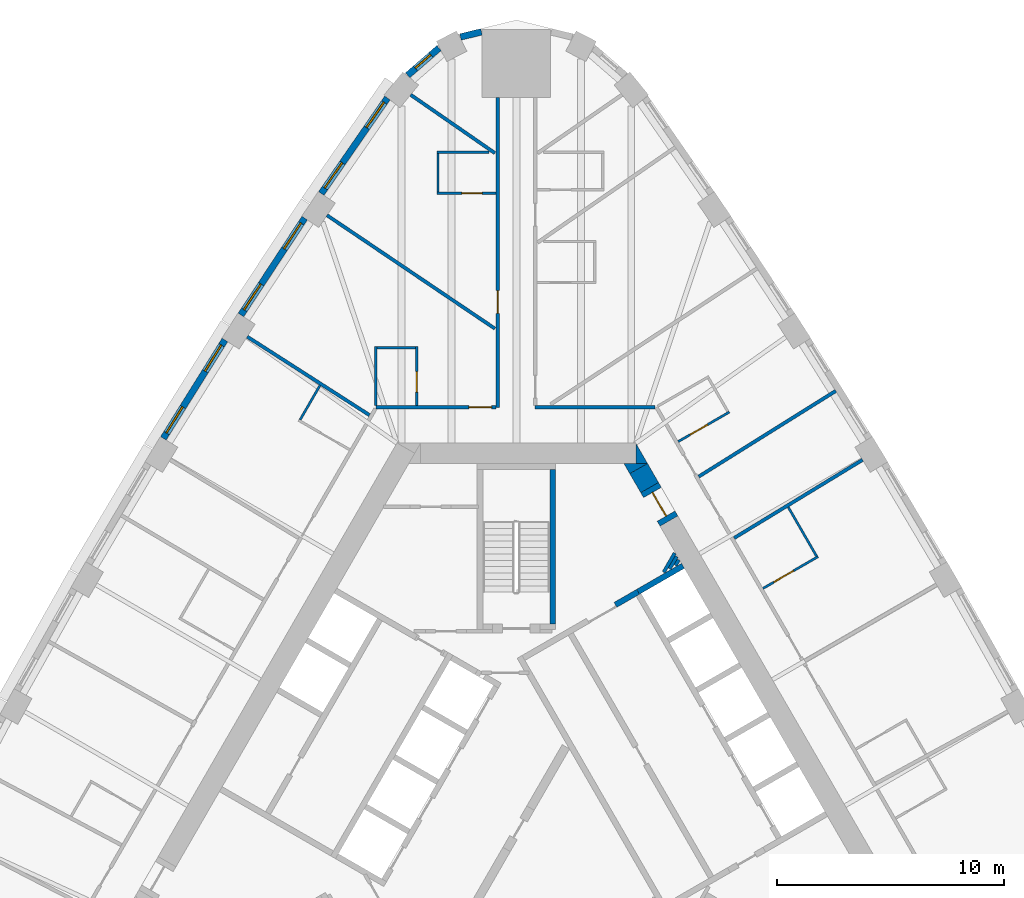
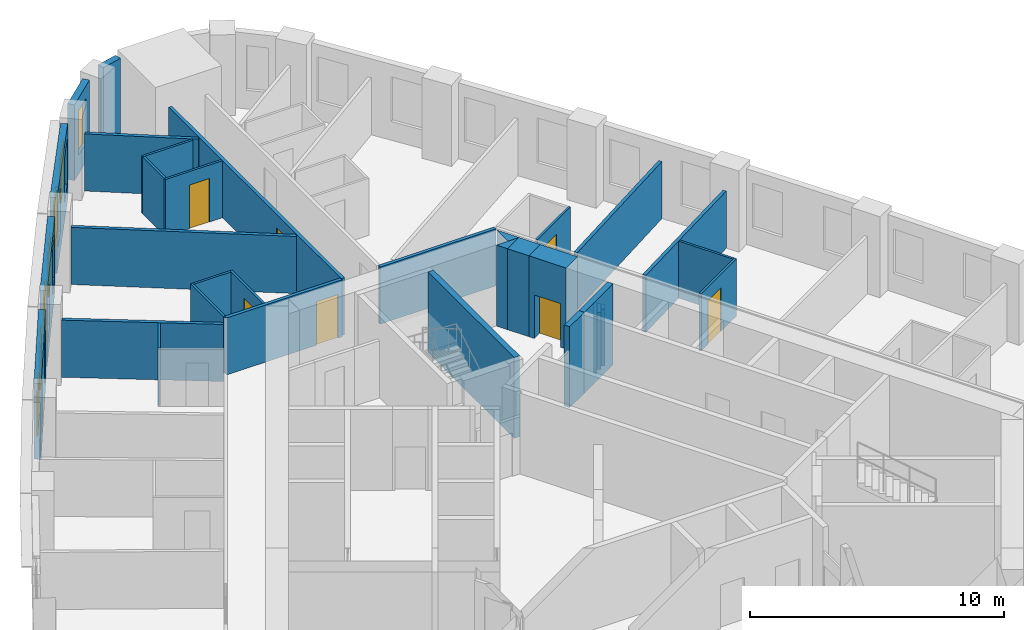
# One storey, part 10 of 12: 33 walls, 7 doors, 7 windows, 14 openings.
"""IFC4 building model written with IfcOpenShell, lengths in metres."""

from ifc_helpers import new_model, si_unit, direction, frame, frame_2d, origin, place, context, subcontext, project, spatial, polyline, rectangle, outline, extrude, material, layer, layer_set, type_object, element, fill, save


model = new_model("IFC4")

# Units and contexts
model_context = context("Model", 3, precision=1e-05, world=origin(), true_north=direction((0.0, 1.0)))
body_context = subcontext(model_context, "Body", "Model", "MODEL_VIEW")
ifc_project = project(units=[si_unit("LENGTHUNIT", "METRE"), si_unit("AREAUNIT", "SQUARE_METRE"), si_unit("VOLUMEUNIT", "CUBIC_METRE"), si_unit("PLANEANGLEUNIT", "RADIAN"), si_unit("MASSUNIT", "GRAM", prefix="KILO")], contexts=[model_context])

# Site, building, storey
site_placement = place(None, origin())
site = spatial("IfcSite", under=ifc_project, at=site_placement, CompositionType="ELEMENT")
building_placement = place(site_placement, origin())
building = spatial("IfcBuilding", under=site, at=building_placement, Name="Mestral Congress Tower", CompositionType="ELEMENT")
storey_placement = place(building_placement, frame((0.0, 0.0, 103.199951171875)))
storey = spatial("IfcBuildingStorey", under=building, at=storey_placement, Name="L24", CompositionType="ELEMENT", Elevation=103.199951171875)

# Walls
ifc_material_1 = material(Name="Fire-rated board partition")
ifc_layer_1 = layer(ifc_material_1, 0.14990234375)
ifc_layer_set_1 = layer_set([ifc_layer_1], Name="Fire-rated board partition")
wall_type_1 = type_object("IfcWallType", Name="Core partition 150", PredefinedType="PARTITIONING", material=ifc_layer_set_1)
wall_1_placement = place(storey_placement, frame((6.481689453125, 11.224609375, 0.0), z_axis=(0.0, 0.0, 1.0), x_axis=(0.5001061818, 0.865964091014, 0.0)))
element("IfcWall", 1, at=wall_1_placement, inside=storey, type_object=wall_type_1, Name="L24 core wall", PredefinedType="PARTITIONING", context=body_context, shape_type="SweptSolid", body=[
    extrude(rectangle(XDim=0.972900390625, YDim=0.14990234375, at=frame_2d((0.486328125, 0.0))), origin(), (0.0, 0.0, 1.0), 2.75),
])
wall_2_placement = place(storey_placement, frame((6.74169921875, 11.374755859375, 0.0), z_axis=(0.0, 0.0, 1.0), x_axis=(0.499744951064, 0.86617260629, 0.0)))
element("IfcWall", 2, at=wall_2_placement, inside=storey, type_object=wall_type_1, Name="L24 core wall", PredefinedType="PARTITIONING", context=body_context, shape_type="SweptSolid", body=[
    extrude(rectangle(XDim=0.626220703125, YDim=0.14990234375, at=frame_2d((0.31298828125, 0.0))), origin(), (0.0, 0.0, 1.0), 2.75),
])
wall_3_placement = place(storey_placement, frame((7.00146484375, 11.524658203125, 0.0), z_axis=(0.0, 0.0, 1.0), x_axis=(0.499797962495, 0.866142018774, 0.0)))
element("IfcWall", 3, at=wall_3_placement, inside=storey, type_object=wall_type_1, Name="L24 core wall", PredefinedType="PARTITIONING", context=body_context, shape_type="SweptSolid", body=[
    extrude(rectangle(XDim=0.27978515625, YDim=0.14990234375, at=frame_2d((0.139892578125, 0.0))), origin(), (0.0, 0.0, 1.0), 2.75),
])
ifc_material_2 = material(Name="Concrete C60/75", Category="concrete")
ifc_layer_2 = layer(ifc_material_2, 0.89990234375)
ifc_layer_set_2 = layer_set([ifc_layer_2], Name="Concrete C60/75")
wall_type_2 = type_object("IfcWallType", Name="Core wall RC 900", PredefinedType="SOLIDWALL", material=ifc_layer_set_2)
placement = place(storey_placement, origin())
element("IfcWall", 4, at=placement, inside=storey, type_object=wall_type_2, Name="L24 core wall", PredefinedType="SOLIDWALL", context=body_context, shape_type="SweptSolid", body=[
    extrude(outline(polyline([(5.265380859375, 16.0), (5.265380859375, 16.8798828125), (5.7734375, 16.0), (5.265380859375, 16.0)])), origin(), (0.0, 0.0, 1.0), 3.900146484375),
])
wall_5_placement = place(storey_placement, frame((5.86083984375, 14.94873046875, 0.0), z_axis=(0.0, 0.0, 1.0), x_axis=(-0.50011719232, 0.865957732194, 0.0)))
element("IfcWall", 5, at=wall_5_placement, inside=storey, type_object=wall_type_2, Name="L24 core wall", PredefinedType="SOLIDWALL", context=body_context, shape_type="SweptSolid", body=[
    extrude(rectangle(XDim=0.963623046875, YDim=0.89990234375, at=frame_2d((0.48193359375, 0.0))), origin(), (0.0, 0.0, 1.0), 3.900146484375),
])
element("IfcWall", 6, at=placement, inside=storey, type_object=wall_type_2, Name="L24 core wall", PredefinedType="SOLIDWALL", context=body_context, shape_type="SweptSolid", body=[
    extrude(outline(polyline([(4.734375, 16.0), (5.75048828125, 16.0), (4.98828125, 15.56005859375), (4.734375, 16.0)])), origin(), (0.0, 0.0, 1.0), 3.900146484375),
])

# Wall, opening, door
wall_7_placement = place(storey_placement, frame((5.86083984375, 14.948486328125, 0.0), z_axis=(0.0, 0.0, 1.0), x_axis=(0.500062241894, -0.865989465428, 0.0)))
wall_7 = element("IfcWall", 7, at=wall_7_placement, inside=storey, type_object=wall_type_2, Name="L24 door wall", PredefinedType="SOLIDWALL", context=body_context, shape_type="SweptSolid", body=[
    extrude(rectangle(XDim=1.699951171875, YDim=0.89990234375, at=frame_2d((0.85009765625, 0.0))), origin(), (0.0, 0.0, 1.0), 3.900146484375),
])
opening_1_placement = place(wall_7_placement, frame((0.25, 0.0, 0.0)))
opening_1 = element("IfcOpeningElement", 8, at=opening_1_placement, cuts=wall_7, Name="Opening XD2", PredefinedType="OPENING", context=body_context, shape_type="SweptSolid", body=[
    extrude(rectangle(XDim=1.199951171875, YDim=2.10009765625, at=frame_2d((0.60009765625, 1.050048828125))), frame((0.0, 0.4599609375, 0.0), z_axis=(0.0, -1.0, 0.0), x_axis=(1.0, 0.0, 0.0)), (0.0, 0.0, 1.0), 0.919921875),
])
ifc_material_3 = material(Name="Fire-rated steel door set", Category="steel")
door_type_1 = type_object("IfcDoorType", Name="Core door XD 1200x2100", OperationType="SINGLE_SWING_LEFT", PredefinedType="DOOR", material=ifc_material_3)
door_1_placement = place(opening_1_placement, origin())
door_1 = element("IfcDoor", 9, at=door_1_placement, inside=storey, type_object=door_type_1, Name="Door XD2", OperationType="SINGLE_SWING_LEFT", OverallHeight=2.10009765625, OverallWidth=1.199951171875, PredefinedType="DOOR", context=body_context, shape_type="SweptSolid", body=[
    extrude(rectangle(XDim=1.199951171875, YDim=2.10009765625, at=frame_2d((0.60009765625, 1.050048828125))), frame((0.0, 0.02490234375, 0.0), z_axis=(0.0, -1.0, 0.0), x_axis=(1.0, 0.0, 0.0)), (0.0, 0.0, 1.0), 0.050048828125),
])
fill(opening_1, door_1)

# Wall
ifc_material_4 = material(Name="Precast concrete C40/50 with limestone facing", Category="masonry")
ifc_layer_3 = layer(ifc_material_4, 0.2900390625)
ifc_layer_set_3 = layer_set([ifc_layer_3], Name="Precast concrete C40/50 with limestone facing")
wall_type_3 = type_object("IfcWallType", Name="Facade stone wall 290", PredefinedType="SOLIDWALL", material=ifc_layer_set_3)
wall_8_placement = place(storey_placement, frame((-1.53515625, 34.9892578125, 0.0), z_axis=(0.0, 0.0, 1.0), x_axis=(-0.971713991574, -0.236160789674, 0.0)))
element("IfcWall", 10, at=wall_8_placement, inside=storey, type_object=wall_type_3, Name="Facade wall K1-2", PredefinedType="SOLIDWALL", context=body_context, shape_type="SweptSolid", body=[
    extrude(rectangle(XDim=0.947021484375, YDim=0.2900390625, at=frame_2d((0.4736328125, 0.0))), origin(), (0.0, 0.0, 1.0), 3.650146484375),
])

# Wall, opening, window
wall_9_placement = place(storey_placement, frame((-3.404541015625, 34.275390625, 0.0), z_axis=(0.0, 0.0, 1.0), x_axis=(-0.754882764627, -0.655859749999, 0.0)))
wall_9 = element("IfcWall", 11, at=wall_9_placement, inside=storey, type_object=wall_type_3, Name="Facade wall K1-3", PredefinedType="SOLIDWALL", context=body_context, shape_type="SweptSolid", body=[
    extrude(rectangle(XDim=1.819580078125, YDim=0.2900390625, at=frame_2d((0.90966796875, 0.0))), origin(), (0.0, 0.0, 1.0), 3.650146484375),
])
opening_2_placement = place(wall_9_placement, frame((0.459716796875, 0.0, 0.89990234375)))
opening_2 = element("IfcOpeningElement", 12, at=opening_2_placement, cuts=wall_9, Name="Opening W3", PredefinedType="OPENING", context=body_context, shape_type="SweptSolid", body=[
    extrude(rectangle(XDim=0.89990234375, YDim=2.14990234375, at=frame_2d((0.449951171875, 1.074951171875))), frame((0.0, 0.155029296875, 0.0), z_axis=(0.0, -1.0, 0.0), x_axis=(1.0, 0.0, 0.0)), (0.0, 0.0, 1.0), 0.31005859375),
])
ifc_material_5 = material(Name="Clear low-emissivity double glazing", Category="glass")
window_type_1 = type_object("IfcWindowType", Name="Facade punched window 900 x 2150 sill 900", PartitioningType="SINGLE_PANEL", PredefinedType="WINDOW", material=ifc_material_5)
window_1_placement = place(opening_2_placement, origin())
window_1 = element("IfcWindow", 13, at=window_1_placement, inside=storey, type_object=window_type_1, Name="Window K1-3", OverallHeight=2.14990234375, OverallWidth=0.89990234375, PartitioningType="SINGLE_PANEL", PredefinedType="WINDOW", context=body_context, shape_type="SweptSolid", body=[
    extrude(rectangle(XDim=0.89990234375, YDim=2.14990234375, at=frame_2d((0.449951171875, 1.074951171875))), frame((0.0, 0.01513671875, 0.0), z_axis=(0.0, -1.0, 0.0), x_axis=(1.0, 0.0, 0.0)), (0.0, 0.0, 1.0), 0.06005859375),
])
fill(opening_2, window_1)

# Wall, openings, windows
wall_10_placement = place(storey_placement, frame((-5.67333984375, 32.0810546875, 0.0), z_axis=(0.0, 0.0, 1.0), x_axis=(-0.569113019126, -0.822259309136, 0.0)))
wall_10 = element("IfcWall", 14, at=wall_10_placement, inside=storey, type_object=wall_type_3, Name="Facade wall F2-00", PredefinedType="SOLIDWALL", context=body_context, shape_type="SweptSolid", body=[
    extrude(rectangle(XDim=5.106689453125, YDim=0.2900390625, at=frame_2d((2.55322265625, 0.0))), origin(), (0.0, 0.0, 1.0), 3.650146484375),
])
opening_3_placement = place(wall_10_placement, frame((0.240478515625, 0.0, 0.89990234375)))
opening_3 = element("IfcOpeningElement", 15, at=opening_3_placement, cuts=wall_10, Name="Opening W2", PredefinedType="OPENING", context=body_context, shape_type="SweptSolid", body=[
    extrude(rectangle(XDim=1.35009765625, YDim=2.14990234375, at=frame_2d((0.675048828125, 1.074951171875))), frame((0.0, 0.155029296875, 0.0), z_axis=(0.0, -1.0, 0.0), x_axis=(1.0, 0.0, 0.0)), (0.0, 0.0, 1.0), 0.31005859375),
])
opening_4_placement = place(wall_10_placement, frame((3.47119140625, 0.0, 0.89990234375)))
opening_4 = element("IfcOpeningElement", 16, at=opening_4_placement, cuts=wall_10, Name="Opening W2", PredefinedType="OPENING", context=body_context, shape_type="SweptSolid", body=[
    extrude(rectangle(XDim=1.35009765625, YDim=2.14990234375, at=frame_2d((0.675048828125, 1.074951171875))), frame((0.0, 0.155029296875, 0.0), z_axis=(0.0, -1.0, 0.0), x_axis=(1.0, 0.0, 0.0)), (0.0, 0.0, 1.0), 0.31005859375),
])
window_type_2 = type_object("IfcWindowType", Name="Facade punched window 1350 x 2150 sill 900", PartitioningType="DOUBLE_PANEL_VERTICAL", PredefinedType="WINDOW", material=ifc_material_5)
window_2_placement = place(opening_3_placement, origin())
window_2 = element("IfcWindow", 17, at=window_2_placement, inside=storey, type_object=window_type_2, Name="Window F2-00a", OverallHeight=2.14990234375, OverallWidth=1.35009765625, PartitioningType="DOUBLE_PANEL_VERTICAL", PredefinedType="WINDOW", context=body_context, shape_type="SweptSolid", body=[
    extrude(rectangle(XDim=1.35009765625, YDim=2.14990234375, at=frame_2d((0.675048828125, 1.074951171875))), frame((0.0, 0.01513671875, 0.0), z_axis=(0.0, -1.0, 0.0), x_axis=(1.0, 0.0, 0.0)), (0.0, 0.0, 1.0), 0.06005859375),
])
fill(opening_3, window_2)
window_3_placement = place(opening_4_placement, origin())
window_3 = element("IfcWindow", 18, at=window_3_placement, inside=storey, type_object=window_type_2, Name="Window F2-00b", OverallHeight=2.14990234375, OverallWidth=1.35009765625, PartitioningType="DOUBLE_PANEL_VERTICAL", PredefinedType="WINDOW", context=body_context, shape_type="SweptSolid", body=[
    extrude(rectangle(XDim=1.35009765625, YDim=2.14990234375, at=frame_2d((0.675048828125, 1.074951171875))), frame((0.0, 0.01513671875, 0.0), z_axis=(0.0, -1.0, 0.0), x_axis=(1.0, 0.0, 0.0)), (0.0, 0.0, 1.0), 0.06005859375),
])
fill(opening_4, window_3)

wall_11_placement = place(storey_placement, frame((-9.310791015625, 26.799072265625, 0.0), z_axis=(0.0, 0.0, 1.0), x_axis=(-0.549741341923, -0.835334937005, 0.0)))
wall_11 = element("IfcWall", 19, at=wall_11_placement, inside=storey, type_object=wall_type_3, Name="Facade wall F2-01", PredefinedType="SOLIDWALL", context=body_context, shape_type="SweptSolid", body=[
    extrude(rectangle(XDim=5.10009765625, YDim=0.2900390625, at=frame_2d((2.550048828125, 0.0))), origin(), (0.0, 0.0, 1.0), 3.650146484375),
])
opening_5_placement = place(wall_11_placement, frame((0.272705078125, 0.0, 0.89990234375)))
opening_5 = element("IfcOpeningElement", 20, at=opening_5_placement, cuts=wall_11, Name="Opening W2", PredefinedType="OPENING", context=body_context, shape_type="SweptSolid", body=[
    extrude(rectangle(XDim=1.35009765625, YDim=2.14990234375, at=frame_2d((0.675048828125, 1.074951171875))), frame((0.0, 0.155029296875, 0.0), z_axis=(0.0, -1.0, 0.0), x_axis=(1.0, 0.0, 0.0)), (0.0, 0.0, 1.0), 0.31005859375),
])
opening_6_placement = place(wall_11_placement, frame((3.477783203125, 0.0, 0.89990234375)))
opening_6 = element("IfcOpeningElement", 21, at=opening_6_placement, cuts=wall_11, Name="Opening W2", PredefinedType="OPENING", context=body_context, shape_type="SweptSolid", body=[
    extrude(rectangle(XDim=1.35009765625, YDim=2.14990234375, at=frame_2d((0.675048828125, 1.074951171875))), frame((0.0, 0.155029296875, 0.0), z_axis=(0.0, -1.0, 0.0), x_axis=(1.0, 0.0, 0.0)), (0.0, 0.0, 1.0), 0.31005859375),
])
window_4_placement = place(opening_5_placement, origin())
window_4 = element("IfcWindow", 22, at=window_4_placement, inside=storey, type_object=window_type_2, Name="Window F2-01a", OverallHeight=2.14990234375, OverallWidth=1.35009765625, PartitioningType="DOUBLE_PANEL_VERTICAL", PredefinedType="WINDOW", context=body_context, shape_type="SweptSolid", body=[
    extrude(rectangle(XDim=1.35009765625, YDim=2.14990234375, at=frame_2d((0.675048828125, 1.074951171875))), frame((0.0, 0.01513671875, 0.0), z_axis=(0.0, -1.0, 0.0), x_axis=(1.0, 0.0, 0.0)), (0.0, 0.0, 1.0), 0.06005859375),
])
fill(opening_5, window_4)
window_5_placement = place(opening_6_placement, origin())
window_5 = element("IfcWindow", 23, at=window_5_placement, inside=storey, type_object=window_type_2, Name="Window F2-01b", OverallHeight=2.14990234375, OverallWidth=1.35009765625, PartitioningType="DOUBLE_PANEL_VERTICAL", PredefinedType="WINDOW", context=body_context, shape_type="SweptSolid", body=[
    extrude(rectangle(XDim=1.35009765625, YDim=2.14990234375, at=frame_2d((0.675048828125, 1.074951171875))), frame((0.0, 0.01513671875, 0.0), z_axis=(0.0, -1.0, 0.0), x_axis=(1.0, 0.0, 0.0)), (0.0, 0.0, 1.0), 0.06005859375),
])
fill(opening_6, window_5)

wall_12_placement = place(storey_placement, frame((-12.820068359375, 21.43896484375, 0.0), z_axis=(0.0, 0.0, 1.0), x_axis=(-0.530072082134, -0.847952585787, 0.0)))
wall_12 = element("IfcWall", 24, at=wall_12_placement, inside=storey, type_object=wall_type_3, Name="Facade wall F2-02", PredefinedType="SOLIDWALL", context=body_context, shape_type="SweptSolid", body=[
    extrude(rectangle(XDim=5.100341796875, YDim=0.2900390625, at=frame_2d((2.55029296875, 0.0))), origin(), (0.0, 0.0, 1.0), 3.650146484375),
])
opening_7_placement = place(wall_12_placement, frame((0.272705078125, 0.0, 0.89990234375)))
opening_7 = element("IfcOpeningElement", 25, at=opening_7_placement, cuts=wall_12, Name="Opening W2", PredefinedType="OPENING", context=body_context, shape_type="SweptSolid", body=[
    extrude(rectangle(XDim=1.35009765625, YDim=2.14990234375, at=frame_2d((0.675048828125, 1.074951171875))), frame((0.0, 0.155029296875, 0.0), z_axis=(0.0, -1.0, 0.0), x_axis=(1.0, 0.0, 0.0)), (0.0, 0.0, 1.0), 0.31005859375),
])
opening_8_placement = place(wall_12_placement, frame((3.477783203125, 0.0, 0.89990234375)))
opening_8 = element("IfcOpeningElement", 26, at=opening_8_placement, cuts=wall_12, Name="Opening W2", PredefinedType="OPENING", context=body_context, shape_type="SweptSolid", body=[
    extrude(rectangle(XDim=1.35009765625, YDim=2.14990234375, at=frame_2d((0.675048828125, 1.074951171875))), frame((0.0, 0.155029296875, 0.0), z_axis=(0.0, -1.0, 0.0), x_axis=(1.0, 0.0, 0.0)), (0.0, 0.0, 1.0), 0.31005859375),
])
window_6_placement = place(opening_7_placement, origin())
window_6 = element("IfcWindow", 27, at=window_6_placement, inside=storey, type_object=window_type_2, Name="Window F2-02a", OverallHeight=2.14990234375, OverallWidth=1.35009765625, PartitioningType="DOUBLE_PANEL_VERTICAL", PredefinedType="WINDOW", context=body_context, shape_type="SweptSolid", body=[
    extrude(rectangle(XDim=1.35009765625, YDim=2.14990234375, at=frame_2d((0.675048828125, 1.074951171875))), frame((0.0, 0.01513671875, 0.0), z_axis=(0.0, -1.0, 0.0), x_axis=(1.0, 0.0, 0.0)), (0.0, 0.0, 1.0), 0.06005859375),
])
fill(opening_7, window_6)
window_7_placement = place(opening_8_placement, origin())
window_7 = element("IfcWindow", 28, at=window_7_placement, inside=storey, type_object=window_type_2, Name="Window F2-02b", OverallHeight=2.14990234375, OverallWidth=1.35009765625, PartitioningType="DOUBLE_PANEL_VERTICAL", PredefinedType="WINDOW", context=body_context, shape_type="SweptSolid", body=[
    extrude(rectangle(XDim=1.35009765625, YDim=2.14990234375, at=frame_2d((0.675048828125, 1.074951171875))), frame((0.0, 0.01513671875, 0.0), z_axis=(0.0, -1.0, 0.0), x_axis=(1.0, 0.0, 0.0)), (0.0, 0.0, 1.0), 0.06005859375),
])
fill(opening_8, window_7)

# Wall, opening, door
ifc_material_6 = material(Name="Gypsum board partition on metal studs with mineral wool", Category="composite")
ifc_layer_4 = layer(ifc_material_6, 0.10009765625)
ifc_layer_set_4 = layer_set([ifc_layer_4], Name="Gypsum board partition on metal studs with mineral wool")
wall_type_4 = type_object("IfcWallType", Name="Hotel partition wall 100", PredefinedType="PARTITIONING", material=ifc_layer_set_4)
wall_13_placement = place(storey_placement, frame((10.8466796875, 10.512939453125, 0.0), z_axis=(0.0, 0.0, 1.0), x_axis=(0.865996816683, 0.500049511043, 0.0)))
wall_13 = element("IfcWall", 29, at=wall_13_placement, inside=storey, type_object=wall_type_4, Name="L24-h-pod13a", PredefinedType="PARTITIONING", context=body_context, shape_type="SweptSolid", body=[
    extrude(rectangle(XDim=2.800048828125, YDim=0.10009765625, at=frame_2d((1.39990234375, 0.0))), origin(), (0.0, 0.0, 1.0), 2.75),
])
opening_9_placement = place(wall_13_placement, frame((0.550048828125, 0.0, 0.0)))
opening_9 = element("IfcOpeningElement", 30, at=opening_9_placement, cuts=wall_13, Name="Opening H07-026", PredefinedType="OPENING", context=body_context, shape_type="SweptSolid", body=[
    extrude(rectangle(XDim=1.0, YDim=2.10009765625, at=frame_2d((0.5, 1.050048828125))), frame((0.0, 0.06005859375, 0.0), z_axis=(0.0, -1.0, 0.0), x_axis=(1.0, 0.0, 0.0)), (0.0, 0.0, 1.0), 0.1201171875),
])
ifc_material_7 = material(Name="Timber veneer door leaf in timber frame", Category="wood")
door_type_2 = type_object("IfcDoorType", Name="Accessible bathroom door 1000", OperationType="SINGLE_SWING_LEFT", PredefinedType="DOOR", material=ifc_material_7)
door_2_placement = place(opening_9_placement, origin())
door_2 = element("IfcDoor", 31, at=door_2_placement, inside=storey, type_object=door_type_2, Name="L24-h-d026", OperationType="SINGLE_SWING_LEFT", OverallHeight=2.10009765625, OverallWidth=1.0, PredefinedType="DOOR", context=body_context, shape_type="SweptSolid", body=[
    extrude(rectangle(XDim=1.0, YDim=2.10009765625, at=frame_2d((0.5, 1.050048828125))), frame((0.0, 0.02490234375, 0.0), z_axis=(0.0, -1.0, 0.0), x_axis=(1.0, 0.0, 0.0)), (0.0, 0.0, 1.0), 0.050048828125),
])
fill(opening_9, door_2)

# Wall
wall_14_placement = place(storey_placement, frame((13.203125, 11.931396484375, 0.0), z_axis=(0.0, 0.0, 1.0), x_axis=(-0.499988411372, 0.866032094379, 0.0)))
element("IfcWall", 32, at=wall_14_placement, inside=storey, type_object=wall_type_4, Name="L24-h-pod13b", PredefinedType="PARTITIONING", context=body_context, shape_type="SweptSolid", body=[
    extrude(rectangle(XDim=2.48974609375, YDim=0.10009765625, at=frame_2d((1.244873046875, 0.0))), origin(), (0.0, 0.0, 1.0), 2.75),
])

# Wall, opening, door
wall_15_placement = place(storey_placement, frame((7.1181640625, 16.970947265625, 0.0), z_axis=(0.0, 0.0, 1.0), x_axis=(0.866021400173, 0.500006934395, 0.0)))
wall_15 = element("IfcWall", 33, at=wall_15_placement, inside=storey, type_object=wall_type_4, Name="L24-h-pod15a", PredefinedType="PARTITIONING", context=body_context, shape_type="SweptSolid", body=[
    extrude(rectangle(XDim=2.60009765625, YDim=0.10009765625, at=frame_2d((1.300048828125, 0.0))), origin(), (0.0, 0.0, 1.0), 2.75),
])
opening_10_placement = place(wall_15_placement, frame((0.60009765625, 0.0, 0.0)))
opening_10 = element("IfcOpeningElement", 34, at=opening_10_placement, cuts=wall_15, Name="Opening H07-029", PredefinedType="OPENING", context=body_context, shape_type="SweptSolid", body=[
    extrude(rectangle(XDim=0.89990234375, YDim=2.10009765625, at=frame_2d((0.449951171875, 1.050048828125))), frame((0.0, 0.06005859375, 0.0), z_axis=(0.0, -1.0, 0.0), x_axis=(1.0, 0.0, 0.0)), (0.0, 0.0, 1.0), 0.1201171875),
])
door_type_3 = type_object("IfcDoorType", Name="Bathroom door 900", OperationType="SINGLE_SWING_LEFT", PredefinedType="DOOR", material=ifc_material_7)
door_3_placement = place(opening_10_placement, origin())
door_3 = element("IfcDoor", 35, at=door_3_placement, inside=storey, type_object=door_type_3, Name="L24-h-d029", OperationType="SINGLE_SWING_RIGHT", OverallHeight=2.10009765625, OverallWidth=0.89990234375, PredefinedType="DOOR", context=body_context, shape_type="SweptSolid", body=[
    extrude(rectangle(XDim=0.89990234375, YDim=2.10009765625, at=frame_2d((0.449951171875, 1.050048828125))), frame((0.0, 0.02490234375, 0.0), z_axis=(0.0, -1.0, 0.0), x_axis=(1.0, 0.0, 0.0)), (0.0, 0.0, 1.0), 0.050048828125),
])
fill(opening_10, door_3)

wall_16_placement = place(storey_placement, frame((-3.5, 27.89794921875, 0.0), z_axis=(0.0, 0.0, 1.0), x_axis=(1.0, 0.0, 0.0)))
wall_16 = element("IfcWall", 36, at=wall_16_placement, inside=storey, type_object=wall_type_4, Name="L24-h-pod18a", PredefinedType="PARTITIONING", context=body_context, shape_type="SweptSolid", body=[
    extrude(rectangle(XDim=2.60009765625, YDim=0.10009765625, at=frame_2d((1.300048828125, 0.0))), origin(), (0.0, 0.0, 1.0), 2.75),
])
opening_11_placement = place(wall_16_placement, frame((1.10009765625, 0.0, 0.0)))
opening_11 = element("IfcOpeningElement", 37, at=opening_11_placement, cuts=wall_16, Name="Opening H07-035", PredefinedType="OPENING", context=body_context, shape_type="SweptSolid", body=[
    extrude(rectangle(XDim=0.89990234375, YDim=2.10009765625, at=frame_2d((0.449951171875, 1.050048828125))), frame((0.0, 0.06005859375, 0.0), z_axis=(0.0, -1.0, 0.0), x_axis=(1.0, 0.0, 0.0)), (0.0, 0.0, 1.0), 0.1201171875),
])
door_4_placement = place(opening_11_placement, origin())
door_4 = element("IfcDoor", 38, at=door_4_placement, inside=storey, type_object=door_type_3, Name="L24-h-d035", OperationType="SINGLE_SWING_RIGHT", OverallHeight=2.10009765625, OverallWidth=0.89990234375, PredefinedType="DOOR", context=body_context, shape_type="SweptSolid", body=[
    extrude(rectangle(XDim=0.89990234375, YDim=2.10009765625, at=frame_2d((0.449951171875, 1.050048828125))), frame((0.0, 0.02490234375, 0.0), z_axis=(0.0, -1.0, 0.0), x_axis=(1.0, 0.0, 0.0)), (0.0, 0.0, 1.0), 0.050048828125),
])
fill(opening_11, door_4)

# Walls
wall_17_placement = place(storey_placement, frame((-3.449951171875, 27.947998046875, 0.0), z_axis=(0.0, 0.0, 1.0), x_axis=(0.0, 1.0, 0.0)))
element("IfcWall", 39, at=wall_17_placement, inside=storey, type_object=wall_type_4, Name="L24-h-pod18b", PredefinedType="PARTITIONING", context=body_context, shape_type="SweptSolid", body=[
    extrude(rectangle(XDim=1.699951171875, YDim=0.10009765625, at=frame_2d((0.85009765625, 0.0))), origin(), (0.0, 0.0, 1.0), 2.75),
])
wall_18_placement = place(storey_placement, frame((-1.199951171875, 29.697998046875, 0.0), z_axis=(0.0, 0.0, 1.0), x_axis=(-1.0, 0.0, 0.0)))
element("IfcWall", 40, at=wall_18_placement, inside=storey, type_object=wall_type_4, Name="L24-h-pod18c", PredefinedType="PARTITIONING", context=body_context, shape_type="SweptSolid", body=[
    extrude(rectangle(XDim=2.300048828125, YDim=0.10009765625, at=frame_2d((1.14990234375, 0.0))), origin(), (0.0, 0.0, 1.0), 2.75),
])

# Wall, opening, door
wall_19_placement = place(storey_placement, frame((-4.38330078125, 18.550048828125, 0.0), z_axis=(0.0, 0.0, 1.0), x_axis=(0.0, 1.0, 0.0)))
wall_19 = element("IfcWall", 41, at=wall_19_placement, inside=storey, type_object=wall_type_4, Name="L24-h-pod19a", PredefinedType="PARTITIONING", context=body_context, shape_type="SweptSolid", body=[
    extrude(rectangle(XDim=2.599853515625, YDim=0.10009765625, at=frame_2d((1.2998046875, 0.0))), origin(), (0.0, 0.0, 1.0), 2.75),
])
opening_12_placement = place(wall_19_placement, frame((0.60009765625, 0.0, 0.0)))
opening_12 = element("IfcOpeningElement", 42, at=opening_12_placement, cuts=wall_19, Name="Opening H07-037", PredefinedType="OPENING", context=body_context, shape_type="SweptSolid", body=[
    extrude(rectangle(XDim=0.89990234375, YDim=2.10009765625, at=frame_2d((0.449951171875, 1.050048828125))), frame((0.0, 0.06005859375, 0.0), z_axis=(0.0, -1.0, 0.0), x_axis=(1.0, 0.0, 0.0)), (0.0, 0.0, 1.0), 0.1201171875),
])
door_5_placement = place(opening_12_placement, origin())
door_5 = element("IfcDoor", 43, at=door_5_placement, inside=storey, type_object=door_type_3, Name="L24-h-d037", OperationType="SINGLE_SWING_LEFT", OverallHeight=2.10009765625, OverallWidth=0.89990234375, PredefinedType="DOOR", context=body_context, shape_type="SweptSolid", body=[
    extrude(rectangle(XDim=0.89990234375, YDim=2.10009765625, at=frame_2d((0.449951171875, 1.050048828125))), frame((0.0, 0.02490234375, 0.0), z_axis=(0.0, -1.0, 0.0), x_axis=(1.0, 0.0, 0.0)), (0.0, 0.0, 1.0), 0.050048828125),
])
fill(opening_12, door_5)

# Walls
wall_20_placement = place(storey_placement, frame((-4.43310546875, 21.10009765625, 0.0), z_axis=(0.0, 0.0, 1.0), x_axis=(-1.0, 0.0, 0.0)))
element("IfcWall", 44, at=wall_20_placement, inside=storey, type_object=wall_type_4, Name="L24-h-pod19b", PredefinedType="PARTITIONING", context=body_context, shape_type="SweptSolid", body=[
    extrude(rectangle(XDim=1.7001953125, YDim=0.10009765625, at=frame_2d((0.85009765625, 0.0))), origin(), (0.0, 0.0, 1.0), 2.75),
])
wall_21_placement = place(storey_placement, frame((-6.18310546875, 18.550048828125, 0.0), z_axis=(0.0, 0.0, 1.0), x_axis=(0.0, 1.0, 0.0)))
element("IfcWall", 45, at=wall_21_placement, inside=storey, type_object=wall_type_4, Name="L24-h-pod19c", PredefinedType="PARTITIONING", context=body_context, shape_type="SweptSolid", body=[
    extrude(rectangle(XDim=2.599853515625, YDim=0.10009765625, at=frame_2d((1.2998046875, 0.0))), origin(), (0.0, 0.0, 1.0), 2.75),
])
wall_22_placement = place(storey_placement, frame((-9.509521484375, 17.92919921875, 0.0), z_axis=(0.0, 0.0, 1.0), x_axis=(0.500062521093, 0.865989304205, 0.0)))
element("IfcWall", 46, at=wall_22_placement, inside=storey, type_object=wall_type_4, Name="L24-h-pod20b", PredefinedType="PARTITIONING", context=body_context, shape_type="SweptSolid", body=[
    extrude(rectangle(XDim=1.739990234375, YDim=0.10009765625, at=frame_2d((0.8701171875, 0.0))), origin(), (0.0, 0.0, 1.0), 2.75),
])
ifc_layer_5 = layer(ifc_material_6, 0.14990234375)
ifc_layer_set_5 = layer_set([ifc_layer_5], Name="Gypsum board partition on metal studs with mineral wool")
wall_type_5 = type_object("IfcWallType", Name="Hotel partition wall 150", PredefinedType="PARTITIONING", material=ifc_layer_set_5)
wall_23_placement = place(storey_placement, frame((0.824951171875, 18.47509765625, 0.0), z_axis=(0.0, 0.0, 1.0), x_axis=(1.0, 0.0, 0.0)))
element("IfcWall", 47, at=wall_23_placement, inside=storey, type_object=wall_type_5, Name="L24-h-cw04", PredefinedType="PARTITIONING", context=body_context, shape_type="SweptSolid", body=[
    extrude(rectangle(XDim=5.268310546875, YDim=0.14990234375, at=frame_2d((2.63427734375, 0.0))), origin(), (0.0, 0.0, 1.0), 2.75),
])

# Wall, opening, door
wall_24_placement = place(storey_placement, frame((-0.824951171875, 18.47509765625, 0.0), z_axis=(0.0, 0.0, 1.0), x_axis=(0.0, 1.0, 0.0)))
wall_24 = element("IfcWall", 48, at=wall_24_placement, inside=storey, type_object=wall_type_5, Name="L24-h-cw06", PredefinedType="PARTITIONING", context=body_context, shape_type="SweptSolid", body=[
    extrude(rectangle(XDim=13.623291015625, YDim=0.14990234375, at=frame_2d((6.8115234375, 0.0))), origin(), (0.0, 0.0, 1.0), 2.75),
])
opening_13_placement = place(wall_24_placement, frame((4.13525390625, 0.0, 0.0)))
opening_13 = element("IfcOpeningElement", 49, at=opening_13_placement, cuts=wall_24, Name="Opening H07-034", PredefinedType="OPENING", context=body_context, shape_type="SweptSolid", body=[
    extrude(rectangle(XDim=1.0, YDim=2.10009765625, at=frame_2d((0.5, 1.050048828125))), frame((0.0, 0.0849609375, 0.0), z_axis=(0.0, -1.0, 0.0), x_axis=(1.0, 0.0, 0.0)), (0.0, 0.0, 1.0), 0.169921875),
])
ifc_material_8 = material(Name="Timber veneer door leaf in metal frame", Category="wood")
door_type_4 = type_object("IfcDoorType", Name="Guest room entrance door 1000", OperationType="SINGLE_SWING_LEFT", PredefinedType="DOOR", material=ifc_material_8)
door_6_placement = place(opening_13_placement, origin())
door_6 = element("IfcDoor", 50, at=door_6_placement, inside=storey, type_object=door_type_4, Name="L24-h-d034", OperationType="SINGLE_SWING_LEFT", OverallHeight=2.10009765625, OverallWidth=1.0, PredefinedType="DOOR", context=body_context, shape_type="SweptSolid", body=[
    extrude(rectangle(XDim=1.0, YDim=2.10009765625, at=frame_2d((0.5, 1.050048828125))), frame((0.0, 0.02490234375, 0.0), z_axis=(0.0, -1.0, 0.0), x_axis=(1.0, 0.0, 0.0)), (0.0, 0.0, 1.0), 0.050048828125),
])
fill(opening_13, door_6)

wall_25_placement = place(storey_placement, frame((-6.1630859375, 18.47509765625, 0.0), z_axis=(0.0, 0.0, 1.0), x_axis=(1.0, 0.0, 0.0)))
wall_25 = element("IfcWall", 51, at=wall_25_placement, inside=storey, type_object=wall_type_5, Name="L24-h-cw07", PredefinedType="PARTITIONING", context=body_context, shape_type="SweptSolid", body=[
    extrude(rectangle(XDim=5.258056640625, YDim=0.14990234375, at=frame_2d((2.62890625, 0.0))), origin(), (0.0, 0.0, 1.0), 2.75),
])
opening_14_placement = place(wall_25_placement, frame((4.078125, 0.0, 0.0)))
opening_14 = element("IfcOpeningElement", 52, at=opening_14_placement, cuts=wall_25, Name="Opening H07-036", PredefinedType="OPENING", context=body_context, shape_type="SweptSolid", body=[
    extrude(rectangle(XDim=1.0, YDim=2.10009765625, at=frame_2d((0.5, 1.050048828125))), frame((0.0, 0.0849609375, 0.0), z_axis=(0.0, -1.0, 0.0), x_axis=(1.0, 0.0, 0.0)), (0.0, 0.0, 1.0), 0.169921875),
])
door_7_placement = place(opening_14_placement, origin())
door_7 = element("IfcDoor", 53, at=door_7_placement, inside=storey, type_object=door_type_4, Name="L24-h-d036", OperationType="SINGLE_SWING_RIGHT", OverallHeight=2.10009765625, OverallWidth=1.0, PredefinedType="DOOR", context=body_context, shape_type="SweptSolid", body=[
    extrude(rectangle(XDim=1.0, YDim=2.10009765625, at=frame_2d((0.5, 1.050048828125))), frame((0.0, 0.02490234375, 0.0), z_axis=(0.0, -1.0, 0.0), x_axis=(1.0, 0.0, 0.0)), (0.0, 0.0, 1.0), 0.050048828125),
])
fill(opening_14, door_7)

# Walls
wall_26_placement = place(storey_placement, frame((-11.838134765625, 21.585205078125, 0.0), z_axis=(0.0, 0.0, 1.0), x_axis=(0.841699322813, -0.539946525108, 0.0)))
element("IfcWall", 54, at=wall_26_placement, inside=storey, type_object=wall_type_5, Name="L24-h-pw11", PredefinedType="PARTITIONING", context=body_context, shape_type="SweptSolid", body=[
    extrude(rectangle(XDim=6.3916015625, YDim=0.14990234375, at=frame_2d((3.19580078125, 0.0))), origin(), (0.0, 0.0, 1.0), 2.75),
])
wall_27_placement = place(storey_placement, frame((-8.32568359375, 26.922607421875, 0.0), z_axis=(0.0, 0.0, 1.0), x_axis=(0.828836601893, -0.5594907393, 0.0)))
element("IfcWall", 55, at=wall_27_placement, inside=storey, type_object=wall_type_5, Name="L24-h-pw13", PredefinedType="PARTITIONING", context=body_context, shape_type="SweptSolid", body=[
    extrude(rectangle(XDim=8.9091796875, YDim=0.14990234375, at=frame_2d((4.45458984375, 0.0))), origin(), (0.0, 0.0, 1.0), 2.75),
])
wall_28_placement = place(storey_placement, frame((-4.649169921875, 32.223388671875, 0.0), z_axis=(0.0, 0.0, 1.0), x_axis=(0.822262349475, -0.569108626394, 0.0)))
element("IfcWall", 56, at=wall_28_placement, inside=storey, type_object=wall_type_5, Name="L24-h-pw14", PredefinedType="PARTITIONING", context=body_context, shape_type="SweptSolid", body=[
    extrude(rectangle(XDim=4.509521484375, YDim=0.14990234375, at=frame_2d((2.2548828125, 0.0))), origin(), (0.0, 0.0, 1.0), 2.75),
])
wall_29_placement = place(storey_placement, frame((14.048828125, 19.19970703125, 0.0), z_axis=(0.0, 0.0, 1.0), x_axis=(-0.847955867271, -0.530066832731, 0.0)))
element("IfcWall", 57, at=wall_29_placement, inside=storey, type_object=wall_type_5, Name="L24-h-pw20", PredefinedType="PARTITIONING", context=body_context, shape_type="SweptSolid", body=[
    extrude(rectangle(XDim=7.111083984375, YDim=0.14990234375, at=frame_2d((3.5556640625, 0.0))), origin(), (0.0, 0.0, 1.0), 2.75),
])
wall_30_placement = place(storey_placement, frame((15.22509765625, 16.16748046875, 0.0), z_axis=(0.0, 0.0, 1.0), x_axis=(-0.854088713274, -0.520127359266, 0.0)))
element("IfcWall", 58, at=wall_30_placement, inside=storey, type_object=wall_type_5, Name="L24-h-pw21", PredefinedType="PARTITIONING", context=body_context, shape_type="SweptSolid", body=[
    extrude(rectangle(XDim=6.61083984375, YDim=0.14990234375, at=frame_2d((3.305419921875, 0.0))), origin(), (0.0, 0.0, 1.0), 2.75),
])
ifc_layer_6 = layer(ifc_material_2, 0.25)
ifc_layer_set_6 = layer_set([ifc_layer_6], Name="Concrete C60/75")
wall_type_6 = type_object("IfcWallType", Name="Shaft wall RC 250", PredefinedType="SOLIDWALL", material=ifc_layer_set_6)
wall_31_placement = place(storey_placement, frame((4.3583984375, 9.791015625, 0.0), z_axis=(0.0, 0.0, 1.0), x_axis=(0.866079547155, 0.499906209203, 0.0)))
element("IfcWall", 59, at=wall_31_placement, inside=storey, type_object=wall_type_6, Name="L24 core wall", PredefinedType="SOLIDWALL", context=body_context, shape_type="SweptSolid", body=[
    extrude(rectangle(XDim=1.150146484375, YDim=0.25, at=frame_2d((0.5751953125, 0.0))), origin(), (0.0, 0.0, 1.0), 3.900146484375),
])
wall_32_placement = place(storey_placement, frame((5.356201171875, 10.366943359375, 0.0), z_axis=(0.0, 0.0, 1.0), x_axis=(0.865978535641, 0.50008116922, 0.0)))
element("IfcWall", 60, at=wall_32_placement, inside=storey, type_object=wall_type_6, Name="L24 core wall", PredefinedType="SOLIDWALL", context=body_context, shape_type="SweptSolid", body=[
    extrude(rectangle(XDim=2.27783203125, YDim=0.25, at=frame_2d((1.138916015625, 0.0))), origin(), (0.0, 0.0, 1.0), 3.900146484375),
])
ifc_layer_7 = layer(ifc_material_2, 0.25)
ifc_layer_set_7 = layer_set([ifc_layer_7], Name="Concrete C60/75")
wall_type_7 = type_object("IfcWallType", Name="Stair wall RC 250", PredefinedType="SOLIDWALL", material=ifc_layer_set_7)
wall_33_placement = place(storey_placement, frame((1.60009765625, 8.949951171875, 0.0), z_axis=(0.0, 0.0, 1.0), x_axis=(0.0, 1.0, 0.0)))
element("IfcWall", 61, at=wall_33_placement, inside=storey, type_object=wall_type_7, Name="L24 core wall", PredefinedType="SOLIDWALL", context=body_context, shape_type="SweptSolid", body=[
    extrude(rectangle(XDim=6.800048828125, YDim=0.25, at=frame_2d((3.39990234375, 0.0))), origin(), (0.0, 0.0, 1.0), 3.900146484375),
])

save(model, "model.ifc")
